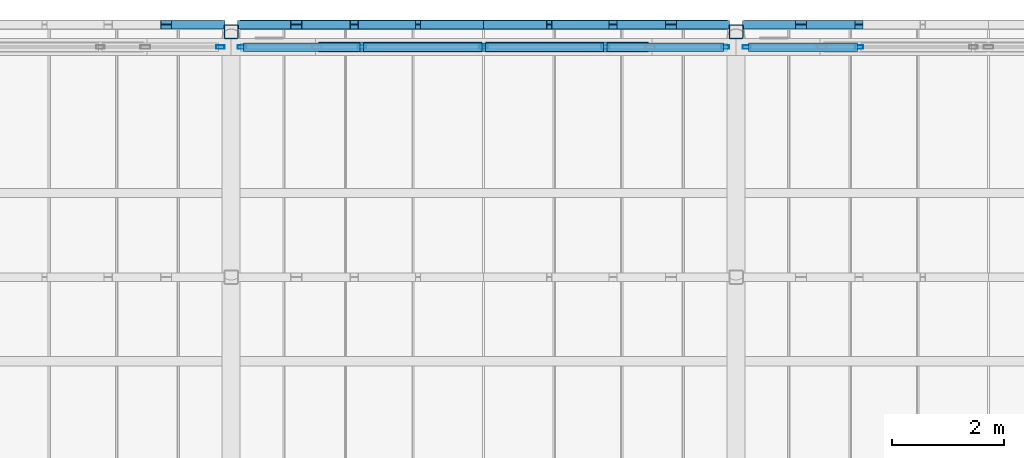
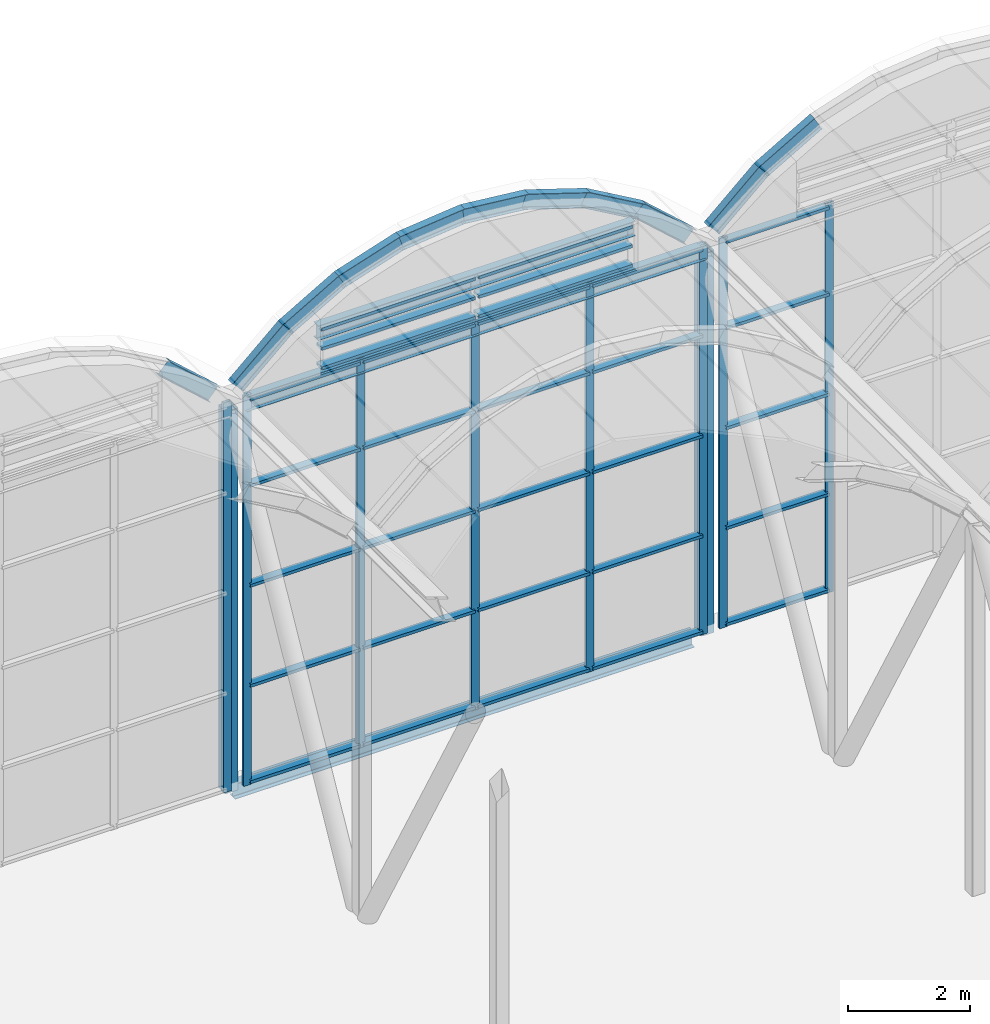
# One storey, part 111 of 144: 52 members, 3 beams, 4 elements without a shape of their own.
"""IFC4 building model written with IfcOpenShell, lengths in metres."""

from ifc_helpers import new_model, si_unit, direction, frame, origin, origin_2d, place, context, subcontext, project, spatial, hollow_rectangle, i_section, extrude, material, layer, layer_set, material_profile, profile_set, type_object, element, aggregate, save


model = new_model("IFC4")

# Units and contexts
model_context = context("Model", 3, precision=1e-05, world=origin(), true_north=direction((0.0, 1.0)))
body_context = subcontext(model_context, "Body", "Model", "MODEL_VIEW")
ifc_project = project(units=[si_unit("LENGTHUNIT", "METRE"), si_unit("AREAUNIT", "SQUARE_METRE"), si_unit("VOLUMEUNIT", "CUBIC_METRE"), si_unit("PLANEANGLEUNIT", "RADIAN"), si_unit("MASSUNIT", "GRAM", prefix="KILO")], contexts=[model_context])

# Site, building, storey
site_placement = place(None, origin())
site = spatial("IfcSite", under=ifc_project, at=site_placement, CompositionType="ELEMENT")
building_placement = place(site_placement, origin())
building = spatial("IfcBuilding", under=site, at=building_placement, Name="Shorebreak Coast Museum", CompositionType="ELEMENT")
storey_placement = place(building_placement, frame((0.0, 0.0, 36.0)))
storey = spatial("IfcBuildingStorey", under=building, at=storey_placement, Name="L06", CompositionType="ELEMENT", Elevation=36.0)

# Curtain wall, member
ifc_material_1 = material(Name="Aluminium", Category="aluminium")
ifc_layer_1 = layer(ifc_material_1, 0.14990234375)
ifc_layer_set_1 = layer_set([ifc_layer_1], Name="Aluminium")
curtain_wall_type_1 = type_object("IfcCurtainWallType", Name="Barrel end glazing", PredefinedType="NOTDEFINED", material=ifc_layer_set_1)
curtain_wall_1_placement = place(storey_placement, origin())
curtain_wall_1 = element("IfcCurtainWall", 1, at=curtain_wall_1_placement, inside=storey, type_object=curtain_wall_type_1, Name="Barrel end glazing L06 5", PredefinedType="NOTDEFINED")
ifc_material_2 = material(Name="Aluminium", Category="aluminium")
ifc_material_profile_1 = material_profile(ifc_material_2, hollow_rectangle(XDim=0.06005859375, YDim=0.14990234375, WallThickness=0.00390625, at=origin_2d()), Name="AL 150x60 RHS")
ifc_profile_set_1 = profile_set([ifc_material_profile_1], Name="Aluminium")
member_type_1 = type_object("IfcMemberType", Name="Barrel mullion 60 x 150", PredefinedType="MULLION", material=ifc_profile_set_1)
member_1_placement = place(storey_placement, frame((98.80810546875, 134.60009765625, 0.0), z_axis=(0.0, 0.0, 1.0), x_axis=(0.0, 1.0, 0.0)))
member_1 = element("IfcMember", 2, at=member_1_placement, type_object=member_type_1, Name="CW7 mullion 5", PredefinedType="MULLION", context=body_context, shape_type="SweptSolid", body=[
    extrude(hollow_rectangle(XDim=0.06005859375, YDim=0.14990234375, WallThickness=0.00390625, at=origin_2d()), origin(), (0.0, 0.0, 1.0), 7.800048828125),
])
aggregate(curtain_wall_1, [member_1])

# Curtain wall, members
curtain_wall_2_placement = place(storey_placement, origin())
curtain_wall_2 = element("IfcCurtainWall", 3, at=curtain_wall_2_placement, inside=storey, type_object=curtain_wall_type_1, Name="Barrel end glazing L06 6", PredefinedType="NOTDEFINED")
member_2_placement = place(storey_placement, frame((99.19189453125, 134.60009765625, 0.0), z_axis=(0.0, 0.0, 1.0), x_axis=(0.0, 1.0, 0.0)))
member_2 = element("IfcMember", 4, at=member_2_placement, type_object=member_type_1, Name="CW7 mullion 1", PredefinedType="MULLION", context=body_context, shape_type="SweptSolid", body=[
    extrude(hollow_rectangle(XDim=0.06005859375, YDim=0.14990234375, WallThickness=0.00390625, at=origin_2d()), origin(), (0.0, 0.0, 1.0), 7.800048828125),
])
member_3_placement = place(storey_placement, frame((101.3310546875, 134.60009765625, 0.0), z_axis=(0.0, 0.0, 1.0), x_axis=(0.0, 1.0, 0.0)))
member_3 = element("IfcMember", 5, at=member_3_placement, type_object=member_type_1, Name="CW7 mullion 2", PredefinedType="MULLION", context=body_context, shape_type="SweptSolid", body=[
    extrude(hollow_rectangle(XDim=0.06005859375, YDim=0.14990234375, WallThickness=0.00390625, at=origin_2d()), origin(), (0.0, 0.0, 1.0), 7.800048828125),
])
member_4_placement = place(storey_placement, frame((103.5, 134.60009765625, 0.0), z_axis=(0.0, 0.0, 1.0), x_axis=(0.0, 1.0, 0.0)))
member_4 = element("IfcMember", 6, at=member_4_placement, type_object=member_type_1, Name="CW7 mullion 3", PredefinedType="MULLION", context=body_context, shape_type="SweptSolid", body=[
    extrude(hollow_rectangle(XDim=0.06005859375, YDim=0.14990234375, WallThickness=0.00390625, at=origin_2d()), origin(), (0.0, 0.0, 1.0), 7.800048828125),
])
member_5_placement = place(storey_placement, frame((105.6689453125, 134.60009765625, 0.0), z_axis=(0.0, 0.0, 1.0), x_axis=(0.0, 1.0, 0.0)))
member_5 = element("IfcMember", 7, at=member_5_placement, type_object=member_type_1, Name="CW7 mullion 4", PredefinedType="MULLION", context=body_context, shape_type="SweptSolid", body=[
    extrude(hollow_rectangle(XDim=0.06005859375, YDim=0.14990234375, WallThickness=0.00390625, at=origin_2d()), origin(), (0.0, 0.0, 1.0), 7.800048828125),
])
member_6_placement = place(storey_placement, frame((107.80810546875, 134.60009765625, 0.0), z_axis=(0.0, 0.0, 1.0), x_axis=(0.0, 1.0, 0.0)))
member_6 = element("IfcMember", 8, at=member_6_placement, type_object=member_type_1, Name="CW7 mullion 5", PredefinedType="MULLION", context=body_context, shape_type="SweptSolid", body=[
    extrude(hollow_rectangle(XDim=0.06005859375, YDim=0.14990234375, WallThickness=0.00390625, at=origin_2d()), origin(), (0.0, 0.0, 1.0), 7.800048828125),
])

curtain_wall_3_placement = place(storey_placement, origin())
curtain_wall_3 = element("IfcCurtainWall", 9, at=curtain_wall_3_placement, inside=storey, type_object=curtain_wall_type_1, Name="Barrel end glazing L06 7", PredefinedType="NOTDEFINED")
member_7_placement = place(storey_placement, frame((108.19189453125, 134.60009765625, 0.0), z_axis=(0.0, 0.0, 1.0), x_axis=(0.0, 1.0, 0.0)))
member_7 = element("IfcMember", 10, at=member_7_placement, type_object=member_type_1, Name="CW7 mullion 1", PredefinedType="MULLION", context=body_context, shape_type="SweptSolid", body=[
    extrude(hollow_rectangle(XDim=0.06005859375, YDim=0.14990234375, WallThickness=0.00390625, at=origin_2d()), origin(), (0.0, 0.0, 1.0), 7.800048828125),
])
member_8_placement = place(storey_placement, frame((110.196533203125, 134.60009765625, 0.0), z_axis=(0.0, 0.0, 1.0), x_axis=(0.0, 1.0, 0.0)))
member_8 = element("IfcMember", 11, at=member_8_placement, type_object=member_type_1, Name="CW7 mullion 2", PredefinedType="MULLION", context=body_context, shape_type="SweptSolid", body=[
    extrude(hollow_rectangle(XDim=0.06005859375, YDim=0.14990234375, WallThickness=0.00390625, at=origin_2d()), origin(), (0.0, 0.0, 1.0), 7.800048828125),
])

# Member
ifc_material_3 = material(Name="Aluminium", Category="aluminium")
ifc_material_profile_2 = material_profile(ifc_material_3, hollow_rectangle(XDim=0.14990234375, YDim=0.06005859375, WallThickness=0.00390625, at=origin_2d()), Name="AL 60x150 RHS")
ifc_profile_set_2 = profile_set([ifc_material_profile_2], Name="Aluminium")
member_type_2 = type_object("IfcMemberType", Name="Barrel transom 150 x 60", PredefinedType="USERDEFINED", material=ifc_profile_set_2)
member_9_placement = place(storey_placement, frame((99.221923828125, 134.60009765625, 0.074951171875), z_axis=(1.0, 0.0, 0.0), x_axis=(0.0, 1.0, 0.0)))
member_9 = element("IfcMember", 12, at=member_9_placement, type_object=member_type_2, Name="CW7 transom 1.1", ObjectType="TRANSOM", PredefinedType="USERDEFINED", context=body_context, shape_type="SweptSolid", body=[
    extrude(hollow_rectangle(XDim=0.14990234375, YDim=0.06005859375, WallThickness=0.00390625, at=origin_2d()), origin(), (0.0, 0.0, 1.0), 2.0791015625),
])

member_10_placement = place(storey_placement, frame((99.221923828125, 134.60009765625, 2.0), z_axis=(1.0, 0.0, 0.0), x_axis=(0.0, 1.0, 0.0)))
member_10 = element("IfcMember", 13, at=member_10_placement, type_object=member_type_2, Name="CW7 transom 1.2", ObjectType="TRANSOM", PredefinedType="USERDEFINED", context=body_context, shape_type="SweptSolid", body=[
    extrude(hollow_rectangle(XDim=0.14990234375, YDim=0.06005859375, WallThickness=0.00390625, at=origin_2d()), origin(), (0.0, 0.0, 1.0), 2.0791015625),
])

member_11_placement = place(storey_placement, frame((99.221923828125, 134.60009765625, 4.0), z_axis=(1.0, 0.0, 0.0), x_axis=(0.0, 1.0, 0.0)))
member_11 = element("IfcMember", 14, at=member_11_placement, type_object=member_type_2, Name="CW7 transom 1.3", ObjectType="TRANSOM", PredefinedType="USERDEFINED", context=body_context, shape_type="SweptSolid", body=[
    extrude(hollow_rectangle(XDim=0.14990234375, YDim=0.06005859375, WallThickness=0.00390625, at=origin_2d()), origin(), (0.0, 0.0, 1.0), 2.0791015625),
])

member_12_placement = place(storey_placement, frame((99.221923828125, 134.60009765625, 6.0), z_axis=(1.0, 0.0, 0.0), x_axis=(0.0, 1.0, 0.0)))
member_12 = element("IfcMember", 15, at=member_12_placement, type_object=member_type_2, Name="CW7 transom 1.4", ObjectType="TRANSOM", PredefinedType="USERDEFINED", context=body_context, shape_type="SweptSolid", body=[
    extrude(hollow_rectangle(XDim=0.14990234375, YDim=0.06005859375, WallThickness=0.00390625, at=origin_2d()), origin(), (0.0, 0.0, 1.0), 2.0791015625),
])

member_13_placement = place(storey_placement, frame((99.221923828125, 134.60009765625, 7.72509765625), z_axis=(1.0, 0.0, 0.0), x_axis=(0.0, 1.0, 0.0)))
member_13 = element("IfcMember", 16, at=member_13_placement, type_object=member_type_2, Name="CW7 transom 1.5", ObjectType="TRANSOM", PredefinedType="USERDEFINED", context=body_context, shape_type="SweptSolid", body=[
    extrude(hollow_rectangle(XDim=0.14990234375, YDim=0.06005859375, WallThickness=0.00390625, at=origin_2d()), origin(), (0.0, 0.0, 1.0), 2.0791015625),
])

member_14_placement = place(storey_placement, frame((101.361083984375, 134.60009765625, 0.074951171875), z_axis=(1.0, 0.0, 0.0), x_axis=(0.0, 1.0, 0.0)))
member_14 = element("IfcMember", 17, at=member_14_placement, type_object=member_type_2, Name="CW7 transom 2.1", ObjectType="TRANSOM", PredefinedType="USERDEFINED", context=body_context, shape_type="SweptSolid", body=[
    extrude(hollow_rectangle(XDim=0.14990234375, YDim=0.06005859375, WallThickness=0.00390625, at=origin_2d()), origin(), (0.0, 0.0, 1.0), 2.10888671875),
])

member_15_placement = place(storey_placement, frame((101.361083984375, 134.60009765625, 2.0), z_axis=(1.0, 0.0, 0.0), x_axis=(0.0, 1.0, 0.0)))
member_15 = element("IfcMember", 18, at=member_15_placement, type_object=member_type_2, Name="CW7 transom 2.2", ObjectType="TRANSOM", PredefinedType="USERDEFINED", context=body_context, shape_type="SweptSolid", body=[
    extrude(hollow_rectangle(XDim=0.14990234375, YDim=0.06005859375, WallThickness=0.00390625, at=origin_2d()), origin(), (0.0, 0.0, 1.0), 2.10888671875),
])

member_16_placement = place(storey_placement, frame((101.361083984375, 134.60009765625, 4.0), z_axis=(1.0, 0.0, 0.0), x_axis=(0.0, 1.0, 0.0)))
member_16 = element("IfcMember", 19, at=member_16_placement, type_object=member_type_2, Name="CW7 transom 2.3", ObjectType="TRANSOM", PredefinedType="USERDEFINED", context=body_context, shape_type="SweptSolid", body=[
    extrude(hollow_rectangle(XDim=0.14990234375, YDim=0.06005859375, WallThickness=0.00390625, at=origin_2d()), origin(), (0.0, 0.0, 1.0), 2.10888671875),
])

member_17_placement = place(storey_placement, frame((101.361083984375, 134.60009765625, 6.0), z_axis=(1.0, 0.0, 0.0), x_axis=(0.0, 1.0, 0.0)))
member_17 = element("IfcMember", 20, at=member_17_placement, type_object=member_type_2, Name="CW7 transom 2.4", ObjectType="TRANSOM", PredefinedType="USERDEFINED", context=body_context, shape_type="SweptSolid", body=[
    extrude(hollow_rectangle(XDim=0.14990234375, YDim=0.06005859375, WallThickness=0.00390625, at=origin_2d()), origin(), (0.0, 0.0, 1.0), 2.10888671875),
])

member_18_placement = place(storey_placement, frame((101.361083984375, 134.60009765625, 7.72509765625), z_axis=(1.0, 0.0, 0.0), x_axis=(0.0, 1.0, 0.0)))
member_18 = element("IfcMember", 21, at=member_18_placement, type_object=member_type_2, Name="CW7 transom 2.5", ObjectType="TRANSOM", PredefinedType="USERDEFINED", context=body_context, shape_type="SweptSolid", body=[
    extrude(hollow_rectangle(XDim=0.14990234375, YDim=0.06005859375, WallThickness=0.00390625, at=origin_2d()), origin(), (0.0, 0.0, 1.0), 2.10888671875),
])

member_19_placement = place(storey_placement, frame((103.530029296875, 134.60009765625, 0.074951171875), z_axis=(1.0, 0.0, 0.0), x_axis=(0.0, 1.0, 0.0)))
member_19 = element("IfcMember", 22, at=member_19_placement, type_object=member_type_2, Name="CW7 transom 3.1", ObjectType="TRANSOM", PredefinedType="USERDEFINED", context=body_context, shape_type="SweptSolid", body=[
    extrude(hollow_rectangle(XDim=0.14990234375, YDim=0.06005859375, WallThickness=0.00390625, at=origin_2d()), origin(), (0.0, 0.0, 1.0), 2.10888671875),
])

member_20_placement = place(storey_placement, frame((103.530029296875, 134.60009765625, 2.0), z_axis=(1.0, 0.0, 0.0), x_axis=(0.0, 1.0, 0.0)))
member_20 = element("IfcMember", 23, at=member_20_placement, type_object=member_type_2, Name="CW7 transom 3.2", ObjectType="TRANSOM", PredefinedType="USERDEFINED", context=body_context, shape_type="SweptSolid", body=[
    extrude(hollow_rectangle(XDim=0.14990234375, YDim=0.06005859375, WallThickness=0.00390625, at=origin_2d()), origin(), (0.0, 0.0, 1.0), 2.10888671875),
])

member_21_placement = place(storey_placement, frame((103.530029296875, 134.60009765625, 4.0), z_axis=(1.0, 0.0, 0.0), x_axis=(0.0, 1.0, 0.0)))
member_21 = element("IfcMember", 24, at=member_21_placement, type_object=member_type_2, Name="CW7 transom 3.3", ObjectType="TRANSOM", PredefinedType="USERDEFINED", context=body_context, shape_type="SweptSolid", body=[
    extrude(hollow_rectangle(XDim=0.14990234375, YDim=0.06005859375, WallThickness=0.00390625, at=origin_2d()), origin(), (0.0, 0.0, 1.0), 2.10888671875),
])

member_22_placement = place(storey_placement, frame((103.530029296875, 134.60009765625, 6.0), z_axis=(1.0, 0.0, 0.0), x_axis=(0.0, 1.0, 0.0)))
member_22 = element("IfcMember", 25, at=member_22_placement, type_object=member_type_2, Name="CW7 transom 3.4", ObjectType="TRANSOM", PredefinedType="USERDEFINED", context=body_context, shape_type="SweptSolid", body=[
    extrude(hollow_rectangle(XDim=0.14990234375, YDim=0.06005859375, WallThickness=0.00390625, at=origin_2d()), origin(), (0.0, 0.0, 1.0), 2.10888671875),
])

member_23_placement = place(storey_placement, frame((103.530029296875, 134.60009765625, 7.72509765625), z_axis=(1.0, 0.0, 0.0), x_axis=(0.0, 1.0, 0.0)))
member_23 = element("IfcMember", 26, at=member_23_placement, type_object=member_type_2, Name="CW7 transom 3.5", ObjectType="TRANSOM", PredefinedType="USERDEFINED", context=body_context, shape_type="SweptSolid", body=[
    extrude(hollow_rectangle(XDim=0.14990234375, YDim=0.06005859375, WallThickness=0.00390625, at=origin_2d()), origin(), (0.0, 0.0, 1.0), 2.10888671875),
])

member_24_placement = place(storey_placement, frame((105.698974609375, 134.60009765625, 0.074951171875), z_axis=(1.0, 0.0, 0.0), x_axis=(0.0, 1.0, 0.0)))
member_24 = element("IfcMember", 27, at=member_24_placement, type_object=member_type_2, Name="CW7 transom 4.1", ObjectType="TRANSOM", PredefinedType="USERDEFINED", context=body_context, shape_type="SweptSolid", body=[
    extrude(hollow_rectangle(XDim=0.14990234375, YDim=0.06005859375, WallThickness=0.00390625, at=origin_2d()), origin(), (0.0, 0.0, 1.0), 2.0791015625),
])

member_25_placement = place(storey_placement, frame((105.698974609375, 134.60009765625, 2.0), z_axis=(1.0, 0.0, 0.0), x_axis=(0.0, 1.0, 0.0)))
member_25 = element("IfcMember", 28, at=member_25_placement, type_object=member_type_2, Name="CW7 transom 4.2", ObjectType="TRANSOM", PredefinedType="USERDEFINED", context=body_context, shape_type="SweptSolid", body=[
    extrude(hollow_rectangle(XDim=0.14990234375, YDim=0.06005859375, WallThickness=0.00390625, at=origin_2d()), origin(), (0.0, 0.0, 1.0), 2.0791015625),
])

member_26_placement = place(storey_placement, frame((105.698974609375, 134.60009765625, 4.0), z_axis=(1.0, 0.0, 0.0), x_axis=(0.0, 1.0, 0.0)))
member_26 = element("IfcMember", 29, at=member_26_placement, type_object=member_type_2, Name="CW7 transom 4.3", ObjectType="TRANSOM", PredefinedType="USERDEFINED", context=body_context, shape_type="SweptSolid", body=[
    extrude(hollow_rectangle(XDim=0.14990234375, YDim=0.06005859375, WallThickness=0.00390625, at=origin_2d()), origin(), (0.0, 0.0, 1.0), 2.0791015625),
])

member_27_placement = place(storey_placement, frame((105.698974609375, 134.60009765625, 6.0), z_axis=(1.0, 0.0, 0.0), x_axis=(0.0, 1.0, 0.0)))
member_27 = element("IfcMember", 30, at=member_27_placement, type_object=member_type_2, Name="CW7 transom 4.4", ObjectType="TRANSOM", PredefinedType="USERDEFINED", context=body_context, shape_type="SweptSolid", body=[
    extrude(hollow_rectangle(XDim=0.14990234375, YDim=0.06005859375, WallThickness=0.00390625, at=origin_2d()), origin(), (0.0, 0.0, 1.0), 2.0791015625),
])

member_28_placement = place(storey_placement, frame((105.698974609375, 134.60009765625, 7.72509765625), z_axis=(1.0, 0.0, 0.0), x_axis=(0.0, 1.0, 0.0)))
member_28 = element("IfcMember", 31, at=member_28_placement, type_object=member_type_2, Name="CW7 transom 4.5", ObjectType="TRANSOM", PredefinedType="USERDEFINED", context=body_context, shape_type="SweptSolid", body=[
    extrude(hollow_rectangle(XDim=0.14990234375, YDim=0.06005859375, WallThickness=0.00390625, at=origin_2d()), origin(), (0.0, 0.0, 1.0), 2.0791015625),
])

aggregate(curtain_wall_2, [member_2, member_3, member_4, member_5, member_6, member_9, member_10, member_11, member_12, member_13, member_14, member_15, member_16, member_17, member_18, member_19, member_20, member_21, member_22, member_23, member_24, member_25, member_26, member_27, member_28])

member_29_placement = place(storey_placement, frame((108.221923828125, 134.60009765625, 0.074951171875), z_axis=(1.0, 0.0, 0.0), x_axis=(0.0, 1.0, 0.0)))
member_29 = element("IfcMember", 32, at=member_29_placement, type_object=member_type_2, Name="CW7 transom 1.1", ObjectType="TRANSOM", PredefinedType="USERDEFINED", context=body_context, shape_type="SweptSolid", body=[
    extrude(hollow_rectangle(XDim=0.14990234375, YDim=0.06005859375, WallThickness=0.00390625, at=origin_2d()), origin(), (0.0, 0.0, 1.0), 1.944580078125),
])

member_30_placement = place(storey_placement, frame((108.221923828125, 134.60009765625, 2.0), z_axis=(1.0, 0.0, 0.0), x_axis=(0.0, 1.0, 0.0)))
member_30 = element("IfcMember", 33, at=member_30_placement, type_object=member_type_2, Name="CW7 transom 1.2", ObjectType="TRANSOM", PredefinedType="USERDEFINED", context=body_context, shape_type="SweptSolid", body=[
    extrude(hollow_rectangle(XDim=0.14990234375, YDim=0.06005859375, WallThickness=0.00390625, at=origin_2d()), origin(), (0.0, 0.0, 1.0), 1.944580078125),
])

member_31_placement = place(storey_placement, frame((108.221923828125, 134.60009765625, 4.0), z_axis=(1.0, 0.0, 0.0), x_axis=(0.0, 1.0, 0.0)))
member_31 = element("IfcMember", 34, at=member_31_placement, type_object=member_type_2, Name="CW7 transom 1.3", ObjectType="TRANSOM", PredefinedType="USERDEFINED", context=body_context, shape_type="SweptSolid", body=[
    extrude(hollow_rectangle(XDim=0.14990234375, YDim=0.06005859375, WallThickness=0.00390625, at=origin_2d()), origin(), (0.0, 0.0, 1.0), 1.944580078125),
])

member_32_placement = place(storey_placement, frame((108.221923828125, 134.60009765625, 6.0), z_axis=(1.0, 0.0, 0.0), x_axis=(0.0, 1.0, 0.0)))
member_32 = element("IfcMember", 35, at=member_32_placement, type_object=member_type_2, Name="CW7 transom 1.4", ObjectType="TRANSOM", PredefinedType="USERDEFINED", context=body_context, shape_type="SweptSolid", body=[
    extrude(hollow_rectangle(XDim=0.14990234375, YDim=0.06005859375, WallThickness=0.00390625, at=origin_2d()), origin(), (0.0, 0.0, 1.0), 1.944580078125),
])

member_33_placement = place(storey_placement, frame((108.221923828125, 134.60009765625, 7.72509765625), z_axis=(1.0, 0.0, 0.0), x_axis=(0.0, 1.0, 0.0)))
member_33 = element("IfcMember", 36, at=member_33_placement, type_object=member_type_2, Name="CW7 transom 1.5", ObjectType="TRANSOM", PredefinedType="USERDEFINED", context=body_context, shape_type="SweptSolid", body=[
    extrude(hollow_rectangle(XDim=0.14990234375, YDim=0.06005859375, WallThickness=0.00390625, at=origin_2d()), origin(), (0.0, 0.0, 1.0), 1.944580078125),
])

aggregate(curtain_wall_3, [member_7, member_8, member_29, member_30, member_31, member_32, member_33])

# Beam
ifc_material_4 = material(Name="Steel Grade 300", Category="steel")
ifc_material_profile_3 = material_profile(ifc_material_4, i_section(OverallWidth=0.166015625, OverallDepth=0.30712890625, WebThickness=0.006591796875, FlangeThickness=0.01171875, FilletRadius=0.011474609375, at=origin_2d()), Name="310UB46.2")
ifc_profile_set_3 = profile_set([ifc_material_profile_3], Name="Steel Grade 300")
beam_type_1 = type_object("IfcBeamType", Name="Floor girder east-west 310UB46.2", PredefinedType="BEAM", material=ifc_profile_set_3)
beam_1_placement = place(storey_placement, frame((99.155517578125, 135.0, -0.32861328125), z_axis=(1.0, 0.0, 0.0), x_axis=(0.0, 1.0, 0.0)))
element("IfcBeam", 37, at=beam_1_placement, inside=storey, type_object=beam_type_1, Name="Floor girder east-west L06 12S", PredefinedType="BEAM", context=body_context, shape_type="SweptSolid", body=[
    extrude(i_section(OverallWidth=0.166015625, OverallDepth=0.30712890625, WebThickness=0.006591796875, FlangeThickness=0.01171875, FilletRadius=0.011474609375, at=origin_2d()), origin(), (0.0, 0.0, 1.0), 8.68896484375),
])

# Curtain wall, members
ifc_material_5 = material(Name="Aluminium", Category="aluminium")
ifc_layer_2 = layer(ifc_material_5, 0.175048828125)
ifc_layer_set_2 = layer_set([ifc_layer_2], Name="Aluminium")
curtain_wall_type_2 = type_object("IfcCurtainWallType", Name="Gable curtain wall", PredefinedType="NOTDEFINED", material=ifc_layer_set_2)
curtain_wall_4_placement = place(storey_placement, origin())
curtain_wall_4 = element("IfcCurtainWall", 38, at=curtain_wall_4_placement, inside=storey, type_object=curtain_wall_type_2, Name="Vault arch glazing V6", PredefinedType="NOTDEFINED")
ifc_material_6 = material(Name="Aluminium", Category="aluminium")
ifc_material_profile_4 = material_profile(ifc_material_6, hollow_rectangle(XDim=0.175048828125, YDim=0.06005859375, WallThickness=0.00390625, at=origin_2d()), Name="AL 60x175 RHS")
ifc_profile_set_4 = profile_set([ifc_material_profile_4], Name="Aluminium")
member_type_3 = type_object("IfcMemberType", Name="Gable transom 175 x 60", PredefinedType="USERDEFINED", material=ifc_profile_set_4)
member_34_placement = place(storey_placement, frame((100.56005859375, 134.60009765625, 7.887451171875), z_axis=(1.0, 0.0, 0.0), x_axis=(0.0, 1.0, 0.0)))
member_34 = element("IfcMember", 39, at=member_34_placement, type_object=member_type_3, Name="CW9 transom 1.1", ObjectType="TRANSOM", PredefinedType="USERDEFINED", context=body_context, shape_type="SweptSolid", body=[
    extrude(hollow_rectangle(XDim=0.175048828125, YDim=0.06005859375, WallThickness=0.00390625, at=origin_2d()), origin(), (0.0, 0.0, 1.0), 2.909912109375),
])
member_35_placement = place(storey_placement, frame((100.56005859375, 134.60009765625, 8.27490234375), z_axis=(1.0, 0.0, 0.0), x_axis=(0.0, 1.0, 0.0)))
member_35 = element("IfcMember", 40, at=member_35_placement, type_object=member_type_3, Name="CW9 transom 1.2", ObjectType="TRANSOM", PredefinedType="USERDEFINED", context=body_context, shape_type="SweptSolid", body=[
    extrude(hollow_rectangle(XDim=0.175048828125, YDim=0.06005859375, WallThickness=0.00390625, at=origin_2d()), origin(), (0.0, 0.0, 1.0), 2.909912109375),
])
member_36_placement = place(storey_placement, frame((100.56005859375, 134.60009765625, 8.66259765625), z_axis=(1.0, 0.0, 0.0), x_axis=(0.0, 1.0, 0.0)))
member_36 = element("IfcMember", 41, at=member_36_placement, type_object=member_type_3, Name="CW9 transom 1.3", ObjectType="TRANSOM", PredefinedType="USERDEFINED", context=body_context, shape_type="SweptSolid", body=[
    extrude(hollow_rectangle(XDim=0.175048828125, YDim=0.06005859375, WallThickness=0.00390625, at=origin_2d()), origin(), (0.0, 0.0, 1.0), 2.909912109375),
])
member_37_placement = place(storey_placement, frame((103.530029296875, 134.60009765625, 7.887451171875), z_axis=(1.0, 0.0, 0.0), x_axis=(0.0, 1.0, 0.0)))
member_37 = element("IfcMember", 42, at=member_37_placement, type_object=member_type_3, Name="CW9 transom 2.1", ObjectType="TRANSOM", PredefinedType="USERDEFINED", context=body_context, shape_type="SweptSolid", body=[
    extrude(hollow_rectangle(XDim=0.175048828125, YDim=0.06005859375, WallThickness=0.00390625, at=origin_2d()), origin(), (0.0, 0.0, 1.0), 2.909912109375),
])
member_38_placement = place(storey_placement, frame((103.530029296875, 134.60009765625, 8.27490234375), z_axis=(1.0, 0.0, 0.0), x_axis=(0.0, 1.0, 0.0)))
member_38 = element("IfcMember", 43, at=member_38_placement, type_object=member_type_3, Name="CW9 transom 2.2", ObjectType="TRANSOM", PredefinedType="USERDEFINED", context=body_context, shape_type="SweptSolid", body=[
    extrude(hollow_rectangle(XDim=0.175048828125, YDim=0.06005859375, WallThickness=0.00390625, at=origin_2d()), origin(), (0.0, 0.0, 1.0), 2.909912109375),
])
member_39_placement = place(storey_placement, frame((103.530029296875, 134.60009765625, 8.66259765625), z_axis=(1.0, 0.0, 0.0), x_axis=(0.0, 1.0, 0.0)))
member_39 = element("IfcMember", 44, at=member_39_placement, type_object=member_type_3, Name="CW9 transom 2.3", ObjectType="TRANSOM", PredefinedType="USERDEFINED", context=body_context, shape_type="SweptSolid", body=[
    extrude(hollow_rectangle(XDim=0.175048828125, YDim=0.06005859375, WallThickness=0.00390625, at=origin_2d()), origin(), (0.0, 0.0, 1.0), 2.909912109375),
])
aggregate(curtain_wall_4, [member_34, member_35, member_36, member_37, member_38, member_39])

# Members
ifc_material_7 = material(Name="Steel Grade C450L0", Category="steel")
ifc_material_profile_5 = material_profile(ifc_material_7, hollow_rectangle(XDim=0.25, YDim=0.25, WallThickness=0.009033203125, InnerFilletRadius=0.013427734375, OuterFilletRadius=0.0224609375, at=origin_2d()), Name="250x250x9.0 SHS")
ifc_profile_set_5 = profile_set([ifc_material_profile_5], Name="Steel Grade C450L0")
member_type_4 = type_object("IfcMemberType", Name="Transfer truss strut 250x250x9.0 SHS", PredefinedType="STRUT", material=ifc_profile_set_5)
for number, where, z_axis, x_axis, name in (
    (45, (99.0, 134.875, -0.175048828125), (0.0, 0.0, 1.0), (1.0, 0.0, 0.0), "Transfer truss TR6 strut V14"),
    (46, (108.0, 134.875, -0.175048828125), (0.0, 0.0, 1.0), (1.0, 0.0, 0.0), "Transfer truss TR7 strut V14"),
):
    element("IfcMember", number, at=place(storey_placement, frame(where, z_axis=z_axis, x_axis=x_axis)), inside=storey, type_object=member_type_4, Name=name, PredefinedType="STRUT", context=body_context, shape_type="SweptSolid", body=[
        extrude(hollow_rectangle(XDim=0.25, YDim=0.25, WallThickness=0.009033203125, InnerFilletRadius=0.013427734375, OuterFilletRadius=0.0224609375, at=origin_2d()), origin(), (0.0, 0.0, 1.0), 7.6328125),
    ])
ifc_material_8 = material(Name="Steel Grade 300", Category="steel")
ifc_material_profile_6 = material_profile(ifc_material_8, i_section(OverallWidth=0.14892578125, OverallDepth=0.298095703125, WebThickness=0.005615234375, FlangeThickness=0.008056640625, FilletRadius=0.012939453125, at=origin_2d()), Name="310UB32.0")
ifc_profile_set_6 = profile_set([ifc_material_profile_6], Name="Steel Grade 300")
member_type_5 = type_object("IfcMemberType", Name="Vault arch rib 310UB32.0", PredefinedType="RAFTER", material=ifc_profile_set_6)
for number, where, z_axis, x_axis, name in (
    (47, (97.841064453125, 135.0, 8.572021484375), (0.743894909598, 0.0, -0.668296613394), (0.0, 1.0, 0.0), "Vault arch rib V5 line 10 facet 8"),
    (48, (99.21240234375, 135.0, 7.7216796875), (0.743894909598, 0.0, 0.668296613394), (0.0, 1.0, 0.0), "Vault arch rib V6 line 10 facet 1"),
):
    element("IfcMember", number, at=place(storey_placement, frame(where, z_axis=z_axis, x_axis=x_axis)), inside=storey, type_object=member_type_5, Name=name, PredefinedType="RAFTER", context=body_context, shape_type="SweptSolid", body=[
        extrude(i_section(OverallWidth=0.14892578125, OverallDepth=0.298095703125, WebThickness=0.005615234375, FlangeThickness=0.008056640625, FilletRadius=0.012939453125, at=origin_2d()), origin(), (0.0, 0.0, 1.0), 1.2724609375),
    ])
for number, where, z_axis, x_axis, name in (
    (49, (100.1337890625, 135.0, 8.5537109375), (0.866444596228, 0.0, 0.499273233478), (0.0, 1.0, 0.0), "Vault arch rib V6 line 10 facet 2"),
    (50, (101.165283203125, 135.0, 9.152099609375), (0.951225984169, 0.0, 0.308494938436), (0.0, 1.0, 0.0), "Vault arch rib V6 line 10 facet 3"),
    (51, (102.298828125, 135.0, 9.52294921875), (0.994539296345, 0.0, 0.104362771266), (0.0, 1.0, 0.0), "Vault arch rib V6 line 10 facet 4"),
    (52, (103.484375, 135.0, 9.650634765625), (0.994539296345, 0.0, -0.104362771266), (0.0, 1.0, 0.0), "Vault arch rib V6 line 10 facet 5"),
    (53, (104.6708984375, 135.0, 9.529541015625), (0.951225984169, 0.0, -0.308494938436), (0.0, 1.0, 0.0), "Vault arch rib V6 line 10 facet 6"),
    (54, (105.80615234375, 135.0, 9.16455078125), (0.866444596228, 0.0, -0.499273233478), (0.0, 1.0, 0.0), "Vault arch rib V6 line 10 facet 7"),
):
    element("IfcMember", number, at=place(storey_placement, frame(where, z_axis=z_axis, x_axis=x_axis)), inside=storey, type_object=member_type_5, Name=name, PredefinedType="RAFTER", context=body_context, shape_type="SweptSolid", body=[
        extrude(i_section(OverallWidth=0.14892578125, OverallDepth=0.298095703125, WebThickness=0.005615234375, FlangeThickness=0.008056640625, FilletRadius=0.012939453125, at=origin_2d()), origin(), (0.0, 0.0, 1.0), 1.223388671875),
    ])
for number, where, z_axis, x_axis, name in (
    (55, (106.841064453125, 135.0, 8.572021484375), (0.743894909598, 0.0, -0.668296613394), (0.0, 1.0, 0.0), "Vault arch rib V6 line 10 facet 8"),
    (56, (108.21240234375, 135.0, 7.7216796875), (0.743894909598, 0.0, 0.668296613394), (0.0, 1.0, 0.0), "Vault arch rib V7 line 10 facet 1"),
):
    element("IfcMember", number, at=place(storey_placement, frame(where, z_axis=z_axis, x_axis=x_axis)), inside=storey, type_object=member_type_5, Name=name, PredefinedType="RAFTER", context=body_context, shape_type="SweptSolid", body=[
        extrude(i_section(OverallWidth=0.14892578125, OverallDepth=0.298095703125, WebThickness=0.005615234375, FlangeThickness=0.008056640625, FilletRadius=0.012939453125, at=origin_2d()), origin(), (0.0, 0.0, 1.0), 1.2724609375),
    ])
member_40_placement = place(storey_placement, frame((109.1337890625, 135.0, 8.5537109375), z_axis=(0.866444596228, 0.0, 0.499273233478), x_axis=(0.0, 1.0, 0.0)))
element("IfcMember", 57, at=member_40_placement, inside=storey, type_object=member_type_5, Name="Vault arch rib V7 line 10 facet 2", PredefinedType="RAFTER", context=body_context, shape_type="SweptSolid", body=[
    extrude(i_section(OverallWidth=0.14892578125, OverallDepth=0.298095703125, WebThickness=0.005615234375, FlangeThickness=0.008056640625, FilletRadius=0.012939453125, at=origin_2d()), origin(), (0.0, 0.0, 1.0), 1.223388671875),
])

# Beams
ifc_material_9 = material(Name="Steel Grade 300", Category="steel")
ifc_material_profile_7 = material_profile(ifc_material_9, i_section(OverallWidth=0.14892578125, OverallDepth=0.298095703125, WebThickness=0.005615234375, FlangeThickness=0.008056640625, FilletRadius=0.012939453125, at=origin_2d()), Name="310UB32.0")
ifc_profile_set_7 = profile_set([ifc_material_profile_7], Name="Steel Grade 300")
beam_type_2 = type_object("IfcBeamType", Name="Vault end edge beam 310UB32.0", PredefinedType="BEAM", material=ifc_profile_set_7)
beam_2_placement = place(storey_placement, frame((99.155517578125, 134.60009765625, 7.65087890625), z_axis=(1.0, 0.0, 0.0), x_axis=(0.0, 1.0, 0.0)))
element("IfcBeam", 58, at=beam_2_placement, inside=storey, type_object=beam_type_2, Name="Vault end edge beam V6", PredefinedType="BEAM", context=body_context, shape_type="SweptSolid", body=[
    extrude(i_section(OverallWidth=0.14892578125, OverallDepth=0.298095703125, WebThickness=0.005615234375, FlangeThickness=0.008056640625, FilletRadius=0.012939453125, at=origin_2d()), origin(), (0.0, 0.0, 1.0), 8.68896484375),
])
ifc_material_10 = material(Name="Steel Grade 300", Category="steel")
ifc_material_profile_8 = material_profile(ifc_material_10, i_section(OverallWidth=0.14892578125, OverallDepth=0.298095703125, WebThickness=0.005615234375, FlangeThickness=0.008056640625, FilletRadius=0.012939453125, at=origin_2d()), Name="310UB32.0")
ifc_profile_set_8 = profile_set([ifc_material_profile_8], Name="Steel Grade 300")
beam_type_3 = type_object("IfcBeamType", Name="Vault end lintel 310UB32.0", PredefinedType="BEAM", material=ifc_profile_set_8)
beam_3_placement = place(storey_placement, frame((100.5, 134.60009765625, 8.60107421875), z_axis=(1.0, 0.0, 0.0), x_axis=(0.0, 1.0, 0.0)))
element("IfcBeam", 59, at=beam_3_placement, inside=storey, type_object=beam_type_3, Name="Vault end lintel V6", PredefinedType="BEAM", context=body_context, shape_type="SweptSolid", body=[
    extrude(i_section(OverallWidth=0.14892578125, OverallDepth=0.298095703125, WebThickness=0.005615234375, FlangeThickness=0.008056640625, FilletRadius=0.012939453125, at=origin_2d()), origin(), (0.0, 0.0, 1.0), 6.0),
])

save(model, "model.ifc")
